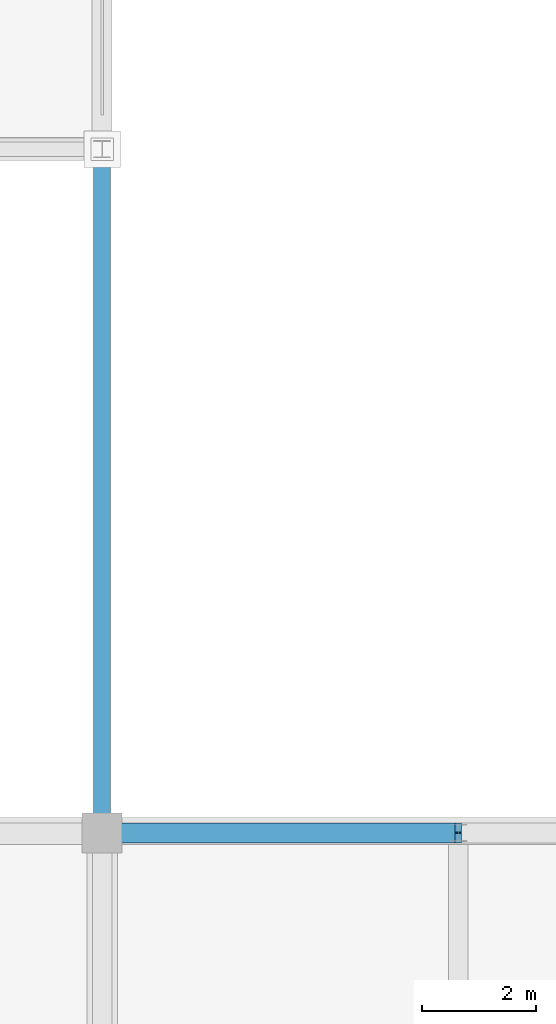
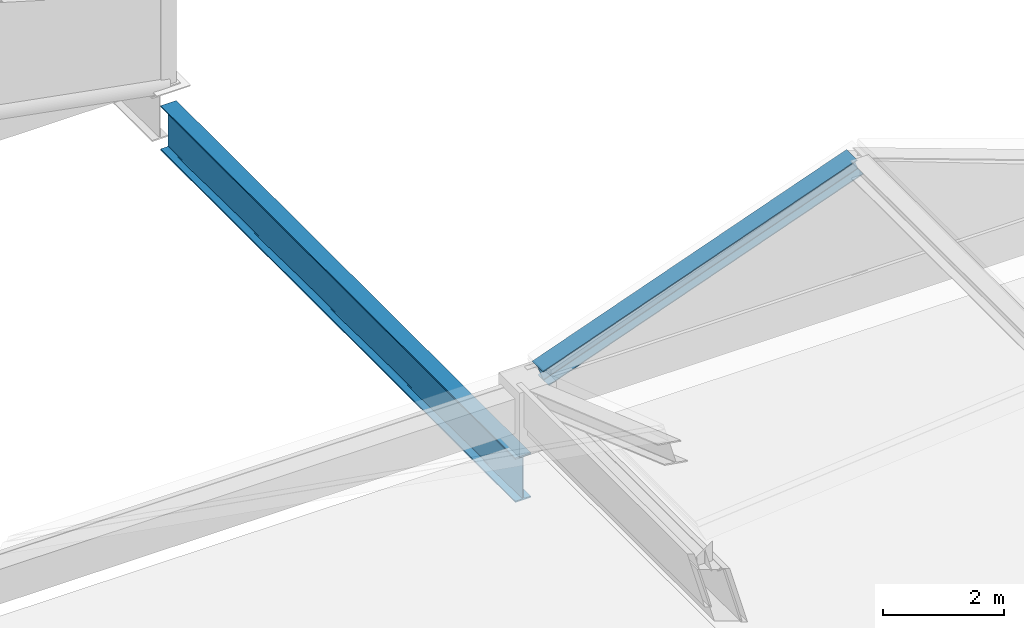
# One storey, part 57 of 117: 1 beam, 1 member.
"""IFC4 building model written with IfcOpenShell, lengths in metres."""

from ifc_helpers import new_model, si_unit, direction, frame, origin, origin_2d, place, context, subcontext, project, spatial, i_section, extrude, material, material_profile, profile_set, type_object, element, save


model = new_model("IFC4")

# Units and contexts
model_context = context("Model", 3, precision=1e-05, world=origin(), true_north=direction((0.0, 1.0)))
body_context = subcontext(model_context, "Body", "Model", "MODEL_VIEW")
ifc_project = project(units=[si_unit("LENGTHUNIT", "METRE"), si_unit("AREAUNIT", "SQUARE_METRE"), si_unit("VOLUMEUNIT", "CUBIC_METRE"), si_unit("PLANEANGLEUNIT", "RADIAN"), si_unit("MASSUNIT", "GRAM", prefix="KILO")], contexts=[model_context])

# Site, building, storey
site_placement = place(None, origin())
site = spatial("IfcSite", under=ifc_project, at=site_placement, CompositionType="ELEMENT")
building_placement = place(site_placement, origin())
building = spatial("IfcBuilding", under=site, at=building_placement, Name="Kazenohara Klinker Stadium", CompositionType="ELEMENT")
storey_placement = place(building_placement, frame((0.0, 0.0, 31.199951171875)))
storey = spatial("IfcBuildingStorey", under=building, at=storey_placement, Name="RF", CompositionType="ELEMENT", Elevation=31.199951171875)

# Member
ifc_material = material(Name="Steel S355", Category="steel")
ifc_material_profile_1 = material_profile(ifc_material, i_section(OverallWidth=0.35009765625, OverallDepth=0.35009765625, WebThickness=0.011962890625, FlangeThickness=0.01904296875, FilletRadius=0.012939453125, at=origin_2d()), Name="H-350x350x12x19")
ifc_profile_set_1 = profile_set([ifc_material_profile_1], Name="Steel S355")
member_type = type_object("IfcMemberType", Name="MEM-CHD02", PredefinedType="CHORD", material=ifc_profile_set_1)
member_placement = place(storey_placement, frame((187.75, 36.0, 1.280029296875), z_axis=(0.940390807712, 0.0, 0.340095764117), x_axis=(0.0, 1.0, 0.0)))
element("IfcMember", 1, at=member_placement, inside=storey, type_object=member_type, Name="Crown gable rafter GT4-NE N West", PredefinedType="CHORD", context=body_context, shape_type="SweptSolid", body=[
    extrude(i_section(OverallWidth=0.35009765625, OverallDepth=0.35009765625, WebThickness=0.011962890625, FlangeThickness=0.01904296875, FilletRadius=0.012939453125, at=origin_2d()), origin(), (0.0, 0.0, 1.0), 6.38037109375),
])

# Beam
ifc_material_profile_2 = material_profile(ifc_material, i_section(OverallWidth=0.300048828125, OverallDepth=0.89990234375, WebThickness=0.01611328125, FlangeThickness=0.028076171875, FilletRadius=0.02197265625, at=origin_2d()), Name="H-900x300x16x28")
ifc_profile_set_2 = profile_set([ifc_material_profile_2], Name="Steel S355")
beam_type = type_object("IfcBeamType", Name="RING-RB01", PredefinedType="USERDEFINED", material=ifc_profile_set_2)
beam_placement = place(storey_placement, frame((187.5, 36.139892578125, -0.820068359375), z_axis=(0.0, 1.0, 0.0), x_axis=(-1.0, 0.0, 0.0)))
element("IfcBeam", 2, at=beam_placement, inside=storey, type_object=beam_type, Name="Roof ring beam RB01 E-OUT D-E", ObjectType="RING BEAM", PredefinedType="USERDEFINED", context=body_context, shape_type="SweptSolid", body=[
    extrude(i_section(OverallWidth=0.300048828125, OverallDepth=0.89990234375, WebThickness=0.01611328125, FlangeThickness=0.028076171875, FilletRadius=0.02197265625, at=origin_2d()), origin(), (0.0, 0.0, 1.0), 11.72021484375),
])

save(model, "model.ifc")
